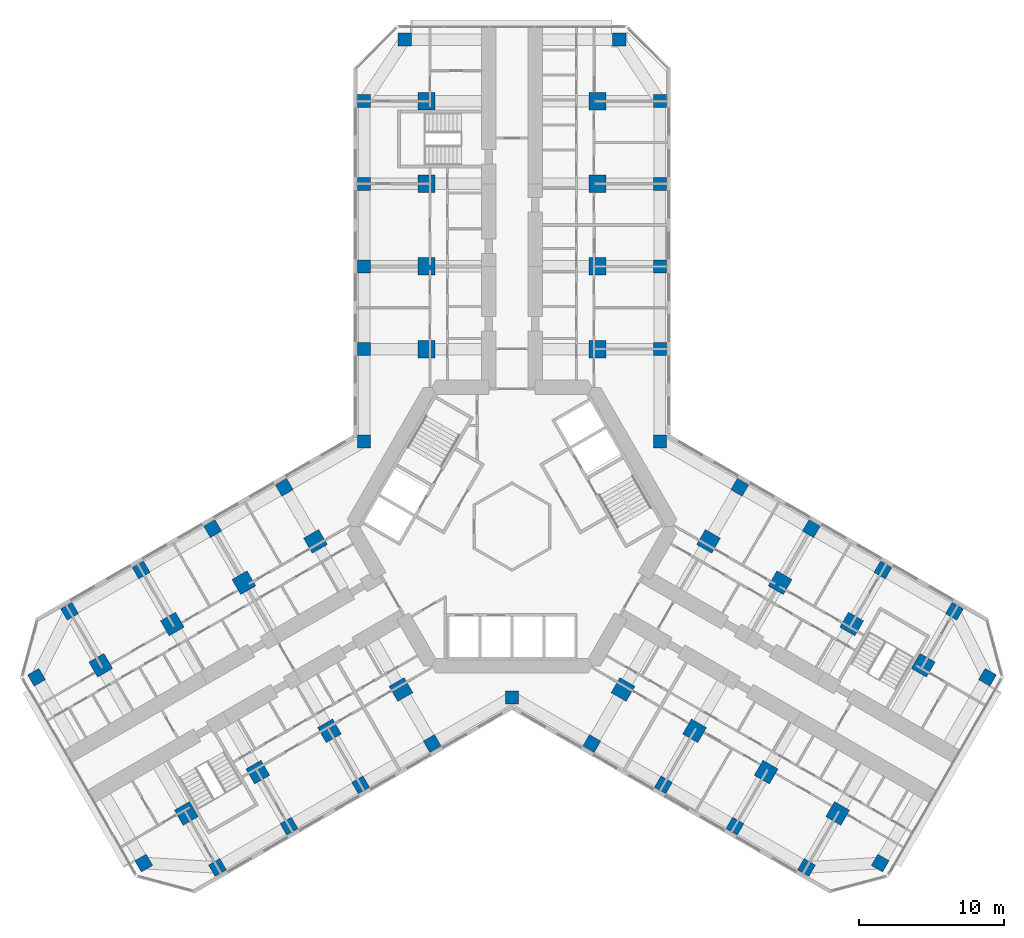
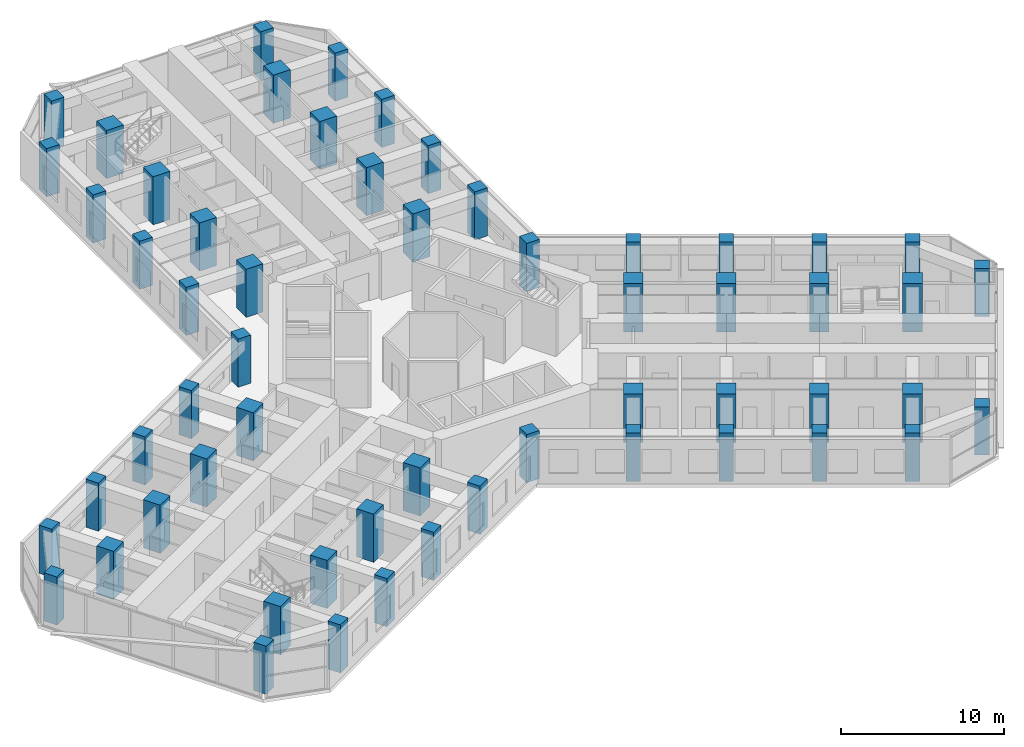
# One storey, part 1 of 21: 57 columns.
"""IFC4 building model written with IfcOpenShell, lengths in metres."""

import ifcopenshell
import ifcopenshell.guid

model = None  # the IFC model being written
_history = None  # IfcOwnerHistory: only IFC2X3 demands one
_inside = {}  # id of a spatial element -> (the spatial element, [elements in it])
_under = {}  # id of a project, library or spatial element -> (it, [spatial elements below it])
_declared = {}  # id of a project -> (the project, [libraries it declares])
_typed = {}  # id of a type object -> (the type object, [elements of that type])
_made_of = {}  # id of a material, layer set ... -> (it, [elements and type objects made of it])


def new_model(schema):
    """Start an empty IFC model of exactly this schema.

    Asked for "IFC4X3", IfcOpenShell would pick the latest addendum, in which some entities
    have other attributes; the version numbers below select the first issue.
    IFC2X3 requires an IfcOwnerHistory on every rooted entity: one is made here for all.
    """
    global model, _history
    if schema == "IFC4X3":
        model = ifcopenshell.file(schema_version=(4, 3, 0, 0))
    else:
        model = ifcopenshell.file(schema=schema)
    _inside.clear()
    _under.clear()
    _declared.clear()
    _typed.clear()
    _made_of.clear()
    _history = None
    if model.schema == "IFC2X3":
        org = make("IfcOrganization", Name="unknown")
        user = make(
            "IfcPersonAndOrganization",
            ThePerson=make("IfcPerson", FamilyName="unknown"),
            TheOrganization=org,
        )
        app = make(
            "IfcApplication",
            ApplicationDeveloper=org,
            Version="unknown",
            ApplicationFullName="unknown",
            ApplicationIdentifier="unknown",
        )
        _history = make(
            "IfcOwnerHistory",
            OwningUser=user,
            OwningApplication=app,
            ChangeAction="ADDED",
            CreationDate=0,
        )
    return model


def make(cls, **values):
    """One entity of the class cls with the attributes given. An attribute that is None is left unset."""
    return model.create_entity(
        cls, **{name: value for name, value in values.items() if value is not None}
    )


def rooted(cls, **values):
    """An entity with a GlobalId (a new one), such as an element, a storey or a relation."""
    return make(cls, GlobalId=ifcopenshell.guid.new(), OwnerHistory=_history, **values)


def si_unit(unit_type, name, prefix=None):
    """IfcSIUnit, for example si_unit("LENGTHUNIT", "METRE", prefix="MILLI")."""
    return make("IfcSIUnit", UnitType=unit_type, Prefix=prefix, Name=name)


def assignment(units):
    """IfcUnitAssignment: the units of a project."""
    return None if units is None else make("IfcUnitAssignment", Units=units)


def point(xyz):
    """IfcCartesianPoint."""
    return None if xyz is None else make("IfcCartesianPoint", Coordinates=xyz)


def direction(xyz):
    """IfcDirection."""
    return None if xyz is None else make("IfcDirection", DirectionRatios=xyz)


def frame(location, z_axis=None, x_axis=None):
    """IfcAxis2Placement3D, a coordinate frame: its origin and axes. An axis left out is left unset."""
    return make(
        "IfcAxis2Placement3D",
        Location=point(location),
        Axis=direction(z_axis),
        RefDirection=direction(x_axis),
    )


def frame_2d(location, x_axis=None):
    """IfcAxis2Placement2D, a coordinate frame in the plane: its origin and x axis."""
    return make(
        "IfcAxis2Placement2D", Location=point(location), RefDirection=direction(x_axis)
    )


def origin():
    """The frame at (0, 0, 0) with its axes left unset."""
    return frame((0.0, 0.0, 0.0))


def origin_2d():
    """The frame at (0, 0) in the plane with its x axis left unset."""
    return frame_2d((0.0, 0.0))


def place(relative_to, where):
    """IfcLocalPlacement: puts the frame where relative to a parent placement (None: the world)."""
    return make(
        "IfcLocalPlacement", PlacementRelTo=relative_to, RelativePlacement=where
    )


def context(
    kind, dimensions, precision=None, world=None, true_north=None, identifier=None
):
    """IfcGeometricRepresentationContext, for example the 3D "Model" context."""
    return make(
        "IfcGeometricRepresentationContext",
        ContextIdentifier=identifier,
        ContextType=kind,
        CoordinateSpaceDimension=dimensions,
        Precision=precision,
        WorldCoordinateSystem=world,
        TrueNorth=true_north,
    )


def subcontext(parent, identifier, kind, view, scale=None):
    """IfcGeometricRepresentationSubContext, for example "Body" below "Model"."""
    return make(
        "IfcGeometricRepresentationSubContext",
        ContextIdentifier=identifier,
        ContextType=kind,
        ParentContext=parent,
        TargetScale=scale,
        TargetView=view,
    )


def project(units=None, contexts=None):
    """IfcProject with its units and contexts."""
    return rooted(
        "IfcProject",
        Name="project",
        RepresentationContexts=contexts,
        UnitsInContext=assignment(units),
    )


def spatial(cls, under=None, at=None, **own):
    """A site, building, storey or space (cls), placed at a placement, below another one or the project."""
    s = rooted(cls, ObjectPlacement=at, **own)
    if under is not None:
        _under.setdefault(under.id(), (under, []))[1].append(s)
    return s


def profile(cls, at=None, kind="AREA", **sizes):
    """A parametric profile (cls). Its sizes go by their IFC names, for example OverallWidth=200.0."""
    return make(cls, ProfileType=kind, Position=at, **sizes)


def rectangle(**sizes):
    """IfcRectangleProfileDef."""
    return profile("IfcRectangleProfileDef", **sizes)


def extrude(swept, where, along, depth):
    """IfcExtrudedAreaSolid: the profile swept, set in the frame where, extruded along a direction by depth."""
    return make(
        "IfcExtrudedAreaSolid",
        SweptArea=swept,
        Position=where,
        ExtrudedDirection=direction(along),
        Depth=depth,
    )


def shape(context_of_items, identifier, shape_type, items):
    """IfcShapeRepresentation: the items that make up one representation, for example the "Body"."""
    return make(
        "IfcShapeRepresentation",
        ContextOfItems=context_of_items,
        RepresentationIdentifier=identifier,
        RepresentationType=shape_type,
        Items=items,
    )


def material(Name=None, Category=None):
    """IfcMaterial."""
    return make("IfcMaterial", Name=Name, Category=Category)


def material_profile(
    of_material, cross_section, Name=None, Category=None, Priority=None
):
    """IfcMaterialProfile: a cross section and its material."""
    return make(
        "IfcMaterialProfile",
        Name=Name,
        Material=of_material,
        Profile=cross_section,
        Priority=Priority,
        Category=Category,
    )


def profile_set(profiles, Name=None, composite=None):
    """IfcMaterialProfileSet."""
    return make(
        "IfcMaterialProfileSet",
        Name=Name,
        MaterialProfiles=profiles,
        CompositeProfile=composite,
    )


def made_of(thing, what):
    """Note that an element or type object is made of a material, layer set ...; save() writes the relation."""
    if what is not None:
        _made_of.setdefault(what.id(), (what, []))[1].append(thing)
    return thing


def type_object(cls, material=None, **own):
    """A type object (cls), such as IfcWallType, which elements share."""
    return made_of(rooted(cls, **own), material)


def element(
    cls,
    number,
    at=None,
    inside=None,
    cuts=None,
    type_object=None,
    material=None,
    context=None,
    identifier="Body",
    shape_type=None,
    held_by="IfcProductDefinitionShape",
    body=None,
    shapes=None,
    **own,
):
    """One element of the class cls, such as IfcWall. Its Tag is "e" and its number.

    at: its placement. inside: the storey or other place that contains it. cuts: it is an
    opening in that element (IfcRelVoidsElement). A single representation is given by context,
    identifier, shape_type and body (its items); several are given by shapes. held_by: the class
    of the entity that holds the representations. save() writes the other relations.
    """
    e = rooted(cls, Tag="e%d" % number, ObjectPlacement=at, **own)
    if body is not None:
        shapes = [shape(context, identifier, shape_type, body)]
    if shapes is not None:
        e.Representation = make(held_by, Representations=shapes)
    if inside is not None:
        _inside.setdefault(inside.id(), (inside, []))[1].append(e)
    if cuts is not None:
        rooted(
            "IfcRelVoidsElement", RelatingBuildingElement=cuts, RelatedOpeningElement=e
        )
    if type_object is not None:
        _typed.setdefault(type_object.id(), (type_object, []))[1].append(e)
    return made_of(e, material)


def aggregate(whole, parts):
    """IfcRelAggregates: a whole, such as a stair, and the parts it consists of."""
    return rooted("IfcRelAggregates", RelatingObject=whole, RelatedObjects=parts)


def save(model, path):
    """Write the relations noted so far, then the file.

    IfcRelAggregates (storeys below a building ...), IfcRelContainedInSpatialStructure (elements
    in a storey), IfcRelDefinesByType, IfcRelAssociatesMaterial and IfcRelDeclares: one each for
    every whole, place, type object, material and project.
    """
    for whole, parts in _under.values():
        aggregate(whole, parts)
    for where, things in _inside.values():
        rooted(
            "IfcRelContainedInSpatialStructure",
            RelatedElements=things,
            RelatingStructure=where,
        )
    for kind, things in _typed.values():
        rooted("IfcRelDefinesByType", RelatedObjects=things, RelatingType=kind)
    for what, things in _made_of.values():
        rooted("IfcRelAssociatesMaterial", RelatedObjects=things, RelatingMaterial=what)
    for by, libraries in _declared.values():
        rooted("IfcRelDeclares", RelatingContext=by, RelatedDefinitions=libraries)
    model.write(path)


model = new_model("IFC4")

# Units and contexts
model_context = context("Model", 3, precision=1e-05, world=origin(), true_north=direction((0.0, 1.0)))
body_context = subcontext(model_context, "Body", "Model", "MODEL_VIEW")
ifc_project = project(units=[si_unit("LENGTHUNIT", "METRE"), si_unit("AREAUNIT", "SQUARE_METRE"), si_unit("VOLUMEUNIT", "CUBIC_METRE"), si_unit("PLANEANGLEUNIT", "RADIAN"), si_unit("MASSUNIT", "GRAM", prefix="KILO")], contexts=[model_context])

# Site, building, storey
site_placement = place(None, origin())
site = spatial("IfcSite", under=ifc_project, at=site_placement, CompositionType="ELEMENT")
building_placement = place(site_placement, origin())
building = spatial("IfcBuilding", under=site, at=building_placement, Name="Kosmar Iwan School Tower", CompositionType="ELEMENT")
storey_placement = place(building_placement, frame((0.0, 0.0, 84.39990234375)))
storey = spatial("IfcBuildingStorey", under=building, at=storey_placement, Name="L20", CompositionType="ELEMENT", Elevation=84.39990234375)

# Columns
ifc_material_1 = material(Name="Concrete C50/60", Category="concrete")
ifc_material_profile_1 = material_profile(ifc_material_1, rectangle(XDim=0.89990234375, YDim=0.89990234375, at=origin_2d()), Name="RC 900x900 + HD 400x634")
ifc_profile_set_1 = profile_set([ifc_material_profile_1], Name="Concrete C50/60")
column_type_1 = type_object("IfcColumnType", Name="Composite column 900x900 HD 400x634", PredefinedType="COLUMN", material=ifc_profile_set_1)
for number, where, z_axis, x_axis, name in (
    (1, (-10.199951171875, 12.25, 0.0), (0.0, 0.0, 1.0), (0.0, 1.0, 0.0), "Column AL1 L20"),
    (2, (-10.199951171875, 17.949951171875, 0.0), (0.0, 0.0, 1.0), (0.0, 1.0, 0.0), "Column AL2 L20"),
    (3, (-10.199951171875, 23.64990234375, 0.0), (0.0, 0.0, 1.0), (0.0, 1.0, 0.0), "Column AL3 L20"),
    (4, (-10.199951171875, 29.35009765625, 0.0), (0.0, 0.0, 1.0), (0.0, 1.0, 0.0), "Column AL4 L20"),
    (5, (-7.39990234375, 33.60009765625, 0.0), (0.0, 0.0, 1.0), (0.0, 1.0, 0.0), "Column ALTIP L20"),
    (6, (10.199951171875, 12.25, 0.0), (0.0, 0.0, 1.0), (0.0, 1.0, 0.0), "Column AR1 L20"),
    (7, (10.199951171875, 17.949951171875, 0.0), (0.0, 0.0, 1.0), (0.0, 1.0, 0.0), "Column AR2 L20"),
    (8, (10.199951171875, 23.64990234375, 0.0), (0.0, 0.0, 1.0), (0.0, 1.0, 0.0), "Column AR3 L20"),
    (9, (10.199951171875, 29.35009765625, 0.0), (0.0, 0.0, 1.0), (0.0, 1.0, 0.0), "Column AR4 L20"),
    (10, (7.39990234375, 33.60009765625, 0.0), (0.0, 0.0, 1.0), (0.0, 1.0, 0.0), "Column ARTIP L20"),
    (11, (-5.5087890625, -14.95849609375, 0.0), (0.0, 0.0, 1.0), (-0.866025403784, -0.5, 0.0), "Column BL1 L20"),
    (12, (-10.445068359375, -17.808349609375, 0.0), (0.0, 0.0, 1.0), (-0.866025403784, -0.5, 0.0), "Column BL2 L20"),
    (13, (-15.381591796875, -20.658447265625, 0.0), (0.0, 0.0, 1.0), (-0.866025403784, -0.5, 0.0), "Column BL3 L20"),
    (14, (-20.31787109375, -23.508544921875, 0.0), (0.0, 0.0, 1.0), (-0.866025403784, -0.5, 0.0), "Column BL4 L20"),
    (15, (-25.3984375, -23.20849609375, 0.0), (0.0, 0.0, 1.0), (-0.866025403784, -0.5, 0.0), "Column BLTIP L20"),
    (16, (-15.708740234375, 2.70849609375, 0.0), (0.0, 0.0, 1.0), (-0.866025403784, -0.5, 0.0), "Column BR1 L20"),
    (17, (-20.645263671875, -0.1416015625, 0.0), (0.0, 0.0, 1.0), (-0.866025403784, -0.5, 0.0), "Column BR2 L20"),
    (18, (-25.58154296875, -2.991455078125, 0.0), (0.0, 0.0, 1.0), (-0.866025403784, -0.5, 0.0), "Column BR3 L20"),
    (19, (-30.517822265625, -5.841552734375, 0.0), (0.0, 0.0, 1.0), (-0.866025403784, -0.5, 0.0), "Column BR4 L20"),
    (20, (-32.79833984375, -10.391357421875, 0.0), (0.0, 0.0, 1.0), (-0.866025403784, -0.5, 0.0), "Column BRTIP L20"),
    (21, (15.708740234375, 2.70849609375, 0.0), (0.0, 0.0, 1.0), (0.866025403784, -0.5, 0.0), "Column CL1 L20"),
    (22, (20.645263671875, -0.1416015625, 0.0), (0.0, 0.0, 1.0), (0.866025403784, -0.5, 0.0), "Column CL2 L20"),
    (23, (25.58154296875, -2.991455078125, 0.0), (0.0, 0.0, 1.0), (0.866025403784, -0.5, 0.0), "Column CL3 L20"),
    (24, (30.517822265625, -5.841552734375, 0.0), (0.0, 0.0, 1.0), (0.866025403784, -0.5, 0.0), "Column CL4 L20"),
    (25, (32.79833984375, -10.391357421875, 0.0), (0.0, 0.0, 1.0), (0.866025403784, -0.5, 0.0), "Column CLTIP L20"),
    (26, (5.5087890625, -14.95849609375, 0.0), (0.0, 0.0, 1.0), (0.866025403784, -0.5, 0.0), "Column CR1 L20"),
    (27, (10.445068359375, -17.808349609375, 0.0), (0.0, 0.0, 1.0), (0.866025403784, -0.5, 0.0), "Column CR2 L20"),
    (28, (15.381591796875, -20.658447265625, 0.0), (0.0, 0.0, 1.0), (0.866025403784, -0.5, 0.0), "Column CR3 L20"),
    (29, (20.31787109375, -23.508544921875, 0.0), (0.0, 0.0, 1.0), (0.866025403784, -0.5, 0.0), "Column CR4 L20"),
    (30, (25.3984375, -23.20849609375, 0.0), (0.0, 0.0, 1.0), (0.866025403784, -0.5, 0.0), "Column CRTIP L20"),
    (31, (-10.199951171875, 5.888916015625, 0.0), (0.0, 0.0, 1.0), (1.0, 0.0, 0.0), "Column RAB L20"),
    (32, (10.199951171875, 5.888916015625, 0.0), (0.0, 0.0, 1.0), (1.0, 0.0, 0.0), "Column RAC L20"),
    (33, (0.0, -11.77783203125, 0.0), (0.0, 0.0, 1.0), (1.0, 0.0, 0.0), "Column RBC L20"),
):
    element("IfcColumn", number, at=place(storey_placement, frame(where, z_axis=z_axis, x_axis=x_axis)), inside=storey, type_object=column_type_1, Name=name, PredefinedType="COLUMN", context=body_context, shape_type="SweptSolid", body=[
        extrude(rectangle(XDim=0.89990234375, YDim=0.89990234375, at=origin_2d()), origin(), (0.0, 0.0, 1.0), 3.60009765625),
    ])
ifc_material_2 = material(Name="Concrete C50/60", Category="concrete")
ifc_material_profile_2 = material_profile(ifc_material_2, rectangle(XDim=1.199951171875, YDim=1.199951171875, at=origin_2d()), Name="RC 1200x1200")
ifc_profile_set_2 = profile_set([ifc_material_profile_2], Name="Concrete C50/60")
column_type_2 = type_object("IfcColumnType", Name="RC interior column 1200x1200", PredefinedType="COLUMN", material=ifc_profile_set_2)
for number, where, z_axis, x_axis, name in (
    (34, (-5.89990234375, 12.25, 0.0), (0.0, 0.0, 1.0), (0.0, 1.0, 0.0), "Interior column ALI1 L20"),
    (35, (-5.89990234375, 17.949951171875, 0.0), (0.0, 0.0, 1.0), (0.0, 1.0, 0.0), "Interior column ALI2 L20"),
    (36, (-5.89990234375, 23.64990234375, 0.0), (0.0, 0.0, 1.0), (0.0, 1.0, 0.0), "Interior column ALI3 L20"),
    (37, (-5.89990234375, 29.35009765625, 0.0), (0.0, 0.0, 1.0), (0.0, 1.0, 0.0), "Interior column ALI4 L20"),
    (38, (5.89990234375, 12.25, 0.0), (0.0, 0.0, 1.0), (0.0, 1.0, 0.0), "Interior column ARI1 L20"),
    (39, (5.89990234375, 17.949951171875, 0.0), (0.0, 0.0, 1.0), (0.0, 1.0, 0.0), "Interior column ARI2 L20"),
    (40, (5.89990234375, 23.64990234375, 0.0), (0.0, 0.0, 1.0), (0.0, 1.0, 0.0), "Interior column ARI3 L20"),
    (41, (5.89990234375, 29.35009765625, 0.0), (0.0, 0.0, 1.0), (0.0, 1.0, 0.0), "Interior column ARI4 L20"),
    (42, (-7.65869140625, -11.234619140625, 0.0), (0.0, 0.0, 1.0), (-0.866025403784, -0.5, 0.0), "Interior column BLI1 L20"),
    (43, (-12.59521484375, -14.08447265625, 0.0), (0.0, 0.0, 1.0), (-0.866025403784, -0.5, 0.0), "Interior column BLI2 L20"),
    (44, (-17.531494140625, -16.9345703125, 0.0), (0.0, 0.0, 1.0), (-0.866025403784, -0.5, 0.0), "Interior column BLI3 L20"),
    (45, (-22.4677734375, -19.78466796875, 0.0), (0.0, 0.0, 1.0), (-0.866025403784, -0.5, 0.0), "Interior column BLI4 L20"),
    (46, (-13.558837890625, -1.015380859375, 0.0), (0.0, 0.0, 1.0), (-0.866025403784, -0.5, 0.0), "Interior column BRI1 L20"),
    (47, (-18.4951171875, -3.865478515625, 0.0), (0.0, 0.0, 1.0), (-0.866025403784, -0.5, 0.0), "Interior column BRI2 L20"),
    (48, (-23.431396484375, -6.71533203125, 0.0), (0.0, 0.0, 1.0), (-0.866025403784, -0.5, 0.0), "Interior column BRI3 L20"),
    (49, (-28.367919921875, -9.5654296875, 0.0), (0.0, 0.0, 1.0), (-0.866025403784, -0.5, 0.0), "Interior column BRI4 L20"),
    (50, (13.558837890625, -1.015380859375, 0.0), (0.0, 0.0, 1.0), (0.866025403784, -0.5, 0.0), "Interior column CLI1 L20"),
    (51, (18.4951171875, -3.865478515625, 0.0), (0.0, 0.0, 1.0), (0.866025403784, -0.5, 0.0), "Interior column CLI2 L20"),
    (52, (23.431396484375, -6.71533203125, 0.0), (0.0, 0.0, 1.0), (0.866025403784, -0.5, 0.0), "Interior column CLI3 L20"),
    (53, (28.367919921875, -9.5654296875, 0.0), (0.0, 0.0, 1.0), (0.866025403784, -0.5, 0.0), "Interior column CLI4 L20"),
    (54, (7.65869140625, -11.234619140625, 0.0), (0.0, 0.0, 1.0), (0.866025403784, -0.5, 0.0), "Interior column CRI1 L20"),
    (55, (12.59521484375, -14.08447265625, 0.0), (0.0, 0.0, 1.0), (0.866025403784, -0.5, 0.0), "Interior column CRI2 L20"),
    (56, (17.531494140625, -16.9345703125, 0.0), (0.0, 0.0, 1.0), (0.866025403784, -0.5, 0.0), "Interior column CRI3 L20"),
    (57, (22.4677734375, -19.78466796875, 0.0), (0.0, 0.0, 1.0), (0.866025403784, -0.5, 0.0), "Interior column CRI4 L20"),
):
    element("IfcColumn", number, at=place(storey_placement, frame(where, z_axis=z_axis, x_axis=x_axis)), inside=storey, type_object=column_type_2, Name=name, PredefinedType="COLUMN", context=body_context, shape_type="SweptSolid", body=[
        extrude(rectangle(XDim=1.199951171875, YDim=1.199951171875, at=origin_2d()), origin(), (0.0, 0.0, 1.0), 3.60009765625),
    ])

save(model, "model.ifc")
